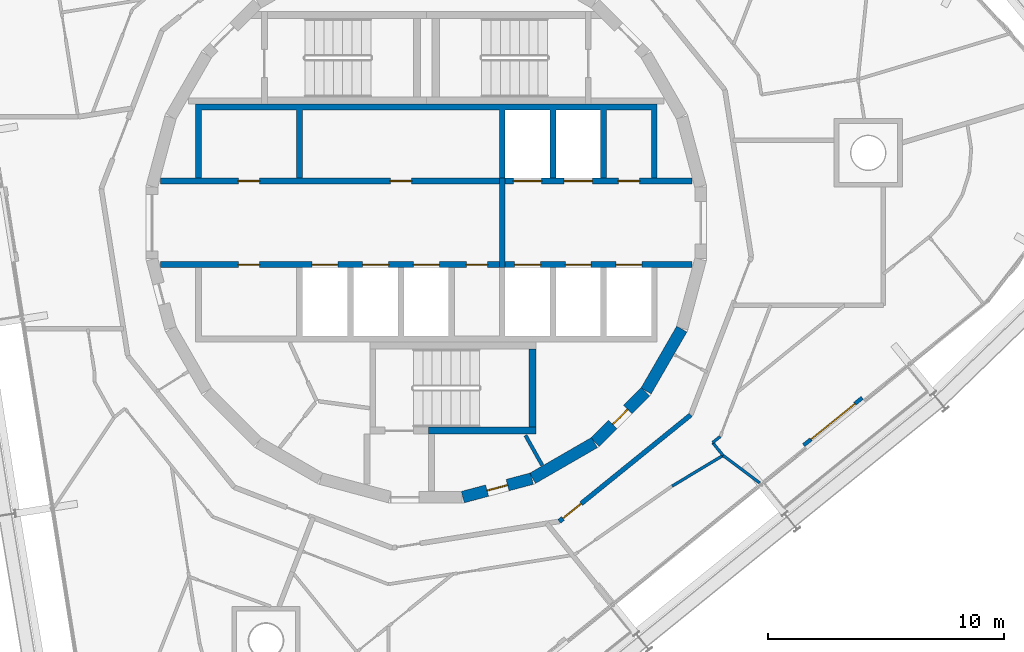
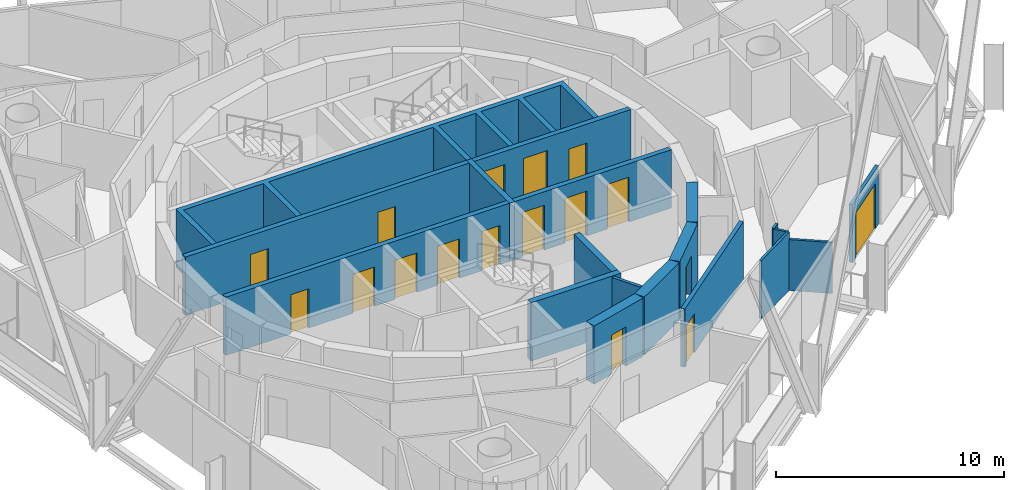
# One storey, part 13 of 18: 19 walls, 17 doors, 17 openings.
"""IFC4 building model written with IfcOpenShell, lengths in metres."""

from ifc_helpers import new_model, si_unit, direction, frame, frame_2d, origin, place, context, subcontext, project, spatial, polyline, rectangle, outline, extrude, material, layer, layer_set, type_object, element, fill, save


model = new_model("IFC4")

# Units and contexts
model_context = context("Model", 3, precision=1e-05, world=origin(), true_north=direction((0.0, 1.0)))
body_context = subcontext(model_context, "Body", "Model", "MODEL_VIEW")
ifc_project = project(units=[si_unit("LENGTHUNIT", "METRE"), si_unit("AREAUNIT", "SQUARE_METRE"), si_unit("VOLUMEUNIT", "CUBIC_METRE"), si_unit("PLANEANGLEUNIT", "RADIAN"), si_unit("MASSUNIT", "GRAM", prefix="KILO")], contexts=[model_context])

# Site, building, storey
site_placement = place(None, origin())
site = spatial("IfcSite", under=ifc_project, at=site_placement, CompositionType="ELEMENT")
building_placement = place(site_placement, origin())
building = spatial("IfcBuilding", under=site, at=building_placement, Name="Spindle Arch Residences", CompositionType="ELEMENT")
storey_placement = place(building_placement, frame((0.0, 0.0, 277.39990234375)))
storey = spatial("IfcBuildingStorey", under=building, at=storey_placement, Name="L71", CompositionType="ELEMENT", Elevation=277.39990234375)

# Wall, opening, door
ifc_material_1 = material(Name="Concrete C50/60", Category="concrete")
ifc_layer_1 = layer(ifc_material_1, 0.5)
ifc_layer_set_1 = layer_set([ifc_layer_1], Name="Core outline wall 500")
wall_type_1 = type_object("IfcWallType", Name="Core outline wall 500", PredefinedType="SHEAR", material=ifc_layer_set_1)
wall_1_placement = place(storey_placement, frame((1.5498046875, -11.642822265625, 0.0), z_axis=(0.0, 0.0, 1.0), x_axis=(0.965948410781, 0.258734743916, 0.0)))
wall_1 = element("IfcWall", 1, at=wall_1_placement, inside=storey, type_object=wall_type_1, Name="Core outline wall 1", PredefinedType="SHEAR", context=body_context, shape_type="SweptSolid", body=[
    extrude(rectangle(XDim=3.03271484375, YDim=0.5, at=frame_2d((1.516357421875, 0.0))), origin(), (0.0, 0.0, 1.0), 3.1201171875),
])
opening_1_placement = place(wall_1_placement, frame((1.06640625, 0.0, 0.0)))
opening_1 = element("IfcOpeningElement", 2, at=opening_1_placement, cuts=wall_1, Name="Opening R7B0-WD09", PredefinedType="OPENING", context=body_context, shape_type="SweptSolid", body=[
    extrude(rectangle(XDim=0.89990234375, YDim=2.10009765625, at=frame_2d((0.449951171875, 1.050048828125))), frame((0.0, 0.260009765625, 0.0), z_axis=(0.0, -1.0, 0.0), x_axis=(1.0, 0.0, 0.0)), (0.0, 0.0, 1.0), 0.52001953125),
])
ifc_material_2 = material(Name="Steel, fire-resisting door", Category="steel")
door_type_1 = type_object("IfcDoorType", Name="Service room door 900x2100", OperationType="SINGLE_SWING_LEFT", PredefinedType="DOOR", material=ifc_material_2)
door_1_placement = place(opening_1_placement, origin())
door_1 = element("IfcDoor", 3, at=door_1_placement, inside=storey, type_object=door_type_1, Name="Service room door R7B0-WD09", OperationType="SINGLE_SWING_LEFT", OverallHeight=2.10009765625, OverallWidth=0.89990234375, PredefinedType="DOOR", context=body_context, shape_type="SweptSolid", body=[
    extrude(rectangle(XDim=0.89990234375, YDim=2.10009765625, at=frame_2d((0.449951171875, 1.050048828125))), frame((0.0, 0.02490234375, 0.0), z_axis=(0.0, -1.0, 0.0), x_axis=(1.0, 0.0, 0.0)), (0.0, 0.0, 1.0), 0.050048828125),
])
fill(opening_1, door_1)

# Wall
wall_2_placement = place(storey_placement, frame((4.510498046875, -10.84521484375, 0.0), z_axis=(0.0, 0.0, 1.0), x_axis=(0.865975092491, 0.500087131594, 0.0)))
element("IfcWall", 4, at=wall_2_placement, inside=storey, type_object=wall_type_1, Name="Core outline wall 2", PredefinedType="SHEAR", context=body_context, shape_type="SweptSolid", body=[
    extrude(rectangle(XDim=3.03271484375, YDim=0.5, at=frame_2d((1.516357421875, 0.0))), origin(), (0.0, 0.0, 1.0), 3.1201171875),
])

# Wall, opening, door
wall_3_placement = place(storey_placement, frame((7.163818359375, -9.30810546875, 0.0), z_axis=(0.0, 0.0, 1.0), x_axis=(0.707106781187, 0.707106781187, 0.0)))
wall_3 = element("IfcWall", 5, at=wall_3_placement, inside=storey, type_object=wall_type_1, Name="Core outline wall 3", PredefinedType="SHEAR", context=body_context, shape_type="SweptSolid", body=[
    extrude(rectangle(XDim=3.032470703125, YDim=0.5, at=frame_2d((1.51611328125, 0.0))), origin(), (0.0, 0.0, 1.0), 3.1201171875),
])
opening_2_placement = place(wall_3_placement, frame((1.06640625, 0.0, 0.0)))
opening_2 = element("IfcOpeningElement", 6, at=opening_2_placement, cuts=wall_3, Name="Opening R7B0-WD08", PredefinedType="OPENING", context=body_context, shape_type="SweptSolid", body=[
    extrude(rectangle(XDim=0.89990234375, YDim=2.10009765625, at=frame_2d((0.449951171875, 1.050048828125))), frame((0.0, 0.260009765625, 0.0), z_axis=(0.0, -1.0, 0.0), x_axis=(1.0, 0.0, 0.0)), (0.0, 0.0, 1.0), 0.52001953125),
])
door_2_placement = place(opening_2_placement, origin())
door_2 = element("IfcDoor", 7, at=door_2_placement, inside=storey, type_object=door_type_1, Name="Service room door R7B0-WD08", OperationType="SINGLE_SWING_RIGHT", OverallHeight=2.10009765625, OverallWidth=0.89990234375, PredefinedType="DOOR", context=body_context, shape_type="SweptSolid", body=[
    extrude(rectangle(XDim=0.89990234375, YDim=2.10009765625, at=frame_2d((0.449951171875, 1.050048828125))), frame((0.0, 0.02490234375, 0.0), z_axis=(0.0, -1.0, 0.0), x_axis=(1.0, 0.0, 0.0)), (0.0, 0.0, 1.0), 0.050048828125),
])
fill(opening_2, door_2)

# Wall
wall_4_placement = place(storey_placement, frame((9.32861328125, -7.13671875, 0.0), z_axis=(0.0, 0.0, 1.0), x_axis=(0.500087131594, 0.865975092491, 0.0)))
element("IfcWall", 8, at=wall_4_placement, inside=storey, type_object=wall_type_1, Name="Core outline wall 4", PredefinedType="SHEAR", context=body_context, shape_type="SweptSolid", body=[
    extrude(rectangle(XDim=3.03271484375, YDim=0.5, at=frame_2d((1.516357421875, 0.0))), origin(), (0.0, 0.0, 1.0), 3.1201171875),
])

# Wall, opening, door
ifc_material_3 = material(Name="Calcium silicate block, plastered")
ifc_layer_2 = layer(ifc_material_3, 0.199951171875)
ifc_layer_set_2 = layer_set([ifc_layer_2], Name="Corridor wall 200")
wall_type_2 = type_object("IfcWallType", Name="Corridor wall 200", PredefinedType="STANDARD", material=ifc_layer_set_2)
wall_5_placement = place(storey_placement, frame((5.642578125, -12.67333984375, 0.0), z_axis=(0.0, 0.0, 1.0), x_axis=(0.777160148113, 0.629302871585, 0.0)))
wall_5 = element("IfcWall", 9, at=wall_5_placement, inside=storey, type_object=wall_type_2, Name="Corridor wall R7B0-W015", PredefinedType="STANDARD", context=body_context, shape_type="SweptSolid", body=[
    extrude(rectangle(XDim=7.180908203125, YDim=0.199951171875, at=frame_2d((3.59033203125, 0.0))), origin(), (0.0, 0.0, 1.0), 3.1201171875),
])
opening_3_placement = place(wall_5_placement, frame((0.199951171875, 0.0, 0.0)))
opening_3 = element("IfcOpeningElement", 10, at=opening_3_placement, cuts=wall_5, Name="Opening R7B0-FD06", PredefinedType="OPENING", context=body_context, shape_type="SweptSolid", body=[
    extrude(rectangle(XDim=1.0, YDim=2.10009765625, at=frame_2d((0.5, 1.050048828125))), frame((0.0, 0.10986328125, 0.0), z_axis=(0.0, -1.0, 0.0), x_axis=(1.0, 0.0, 0.0)), (0.0, 0.0, 1.0), 0.219970703125),
])
ifc_material_4 = material(Name="Timber, fire-resisting door set", Category="wood")
door_type_2 = type_object("IfcDoorType", Name="Flat entrance door 1000x2100", OperationType="NOTDEFINED", PredefinedType="DOOR", material=ifc_material_4)
door_3_placement = place(opening_3_placement, origin())
door_3 = element("IfcDoor", 11, at=door_3_placement, inside=storey, type_object=door_type_2, Name="Flat entrance door R7B0-FD06", OperationType="SINGLE_SWING_LEFT", OverallHeight=2.10009765625, OverallWidth=1.0, PredefinedType="DOOR", context=body_context, shape_type="SweptSolid", body=[
    extrude(rectangle(XDim=1.0, YDim=2.10009765625, at=frame_2d((0.5, 1.050048828125))), frame((0.0, 0.02490234375, 0.0), z_axis=(0.0, -1.0, 0.0), x_axis=(1.0, 0.0, 0.0)), (0.0, 0.0, 1.0), 0.050048828125),
])
fill(opening_3, door_3)

# Wall, openings, doors
ifc_material_5 = material(Name="Concrete C40/50", Category="concrete")
ifc_layer_3 = layer(ifc_material_5, 0.25)
ifc_layer_set_3 = layer_set([ifc_layer_3], Name="Fire-lift lobby wall 250")
wall_type_3 = type_object("IfcWallType", Name="Fire-lift lobby wall 250", PredefinedType="SHEAR", material=ifc_layer_set_3)
wall_6_placement = place(storey_placement, frame((3.35009765625, 1.77490234375, 0.0), z_axis=(0.0, 0.0, 1.0), x_axis=(1.0, 0.0, 0.0)))
wall_6 = element("IfcWall", 12, at=wall_6_placement, inside=storey, type_object=wall_type_3, Name="Lift shaft front wall NE", PredefinedType="SHEAR", context=body_context, shape_type="SweptSolid", body=[
    extrude(rectangle(XDim=7.929931640625, YDim=0.25, at=frame_2d((3.96484375, 0.0))), origin(), (0.0, 0.0, 1.0), 3.1201171875),
])
opening_4_placement = place(wall_6_placement, frame((0.35009765625, 0.0, 0.0)))
opening_4 = element("IfcOpeningElement", 13, at=opening_4_placement, cuts=wall_6, Name="Opening R7B0-SLD01", PredefinedType="OPENING", context=body_context, shape_type="SweptSolid", body=[
    extrude(rectangle(XDim=1.199951171875, YDim=2.39990234375, at=frame_2d((0.60009765625, 1.199951171875))), frame((0.0, 0.135009765625, 0.0), z_axis=(0.0, -1.0, 0.0), x_axis=(1.0, 0.0, 0.0)), (0.0, 0.0, 1.0), 0.27001953125),
])
opening_5_placement = place(wall_6_placement, frame((2.5, 0.0, 0.0)))
opening_5 = element("IfcOpeningElement", 14, at=opening_5_placement, cuts=wall_6, Name="Opening R7B0-SLD02", PredefinedType="OPENING", context=body_context, shape_type="SweptSolid", body=[
    extrude(rectangle(XDim=1.199951171875, YDim=2.39990234375, at=frame_2d((0.60009765625, 1.199951171875))), frame((0.0, 0.135009765625, 0.0), z_axis=(0.0, -1.0, 0.0), x_axis=(1.0, 0.0, 0.0)), (0.0, 0.0, 1.0), 0.27001953125),
])
opening_6_placement = place(wall_6_placement, frame((4.800048828125, 0.0, 0.0)))
opening_6 = element("IfcOpeningElement", 15, at=opening_6_placement, cuts=wall_6, Name="Opening R7B0-WD03", PredefinedType="OPENING", context=body_context, shape_type="SweptSolid", body=[
    extrude(rectangle(XDim=0.89990234375, YDim=2.10009765625, at=frame_2d((0.449951171875, 1.050048828125))), frame((0.0, 0.135009765625, 0.0), z_axis=(0.0, -1.0, 0.0), x_axis=(1.0, 0.0, 0.0)), (0.0, 0.0, 1.0), 0.27001953125),
])
ifc_material_6 = material(Name="Steel, fire-resisting landing door", Category="steel")
door_type_3 = type_object("IfcDoorType", Name="Service lift landing door 1200x2400", OperationType="DOUBLE_DOOR_SLIDING", PredefinedType="DOOR", material=ifc_material_6)
door_4_placement = place(opening_4_placement, origin())
door_4 = element("IfcDoor", 16, at=door_4_placement, inside=storey, type_object=door_type_3, Name="Service lift landing door R7B0-SLD01", OperationType="DOUBLE_DOOR_SLIDING", OverallHeight=2.39990234375, OverallWidth=1.199951171875, PredefinedType="DOOR", context=body_context, shape_type="SweptSolid", body=[
    extrude(rectangle(XDim=1.199951171875, YDim=2.39990234375, at=frame_2d((0.60009765625, 1.199951171875))), frame((0.0, 0.02490234375, 0.0), z_axis=(0.0, -1.0, 0.0), x_axis=(1.0, 0.0, 0.0)), (0.0, 0.0, 1.0), 0.050048828125),
])
fill(opening_4, door_4)
door_5_placement = place(opening_5_placement, origin())
door_5 = element("IfcDoor", 17, at=door_5_placement, inside=storey, type_object=door_type_3, Name="Service lift landing door R7B0-SLD02", OperationType="DOUBLE_DOOR_SLIDING", OverallHeight=2.39990234375, OverallWidth=1.199951171875, PredefinedType="DOOR", context=body_context, shape_type="SweptSolid", body=[
    extrude(rectangle(XDim=1.199951171875, YDim=2.39990234375, at=frame_2d((0.60009765625, 1.199951171875))), frame((0.0, 0.02490234375, 0.0), z_axis=(0.0, -1.0, 0.0), x_axis=(1.0, 0.0, 0.0)), (0.0, 0.0, 1.0), 0.050048828125),
])
fill(opening_5, door_5)
door_6_placement = place(opening_6_placement, origin())
door_6 = element("IfcDoor", 18, at=door_6_placement, inside=storey, type_object=door_type_1, Name="Service room door R7B0-WD03", OperationType="SINGLE_SWING_LEFT", OverallHeight=2.10009765625, OverallWidth=0.89990234375, PredefinedType="DOOR", context=body_context, shape_type="SweptSolid", body=[
    extrude(rectangle(XDim=0.89990234375, YDim=2.10009765625, at=frame_2d((0.449951171875, 1.050048828125))), frame((0.0, 0.02490234375, 0.0), z_axis=(0.0, -1.0, 0.0), x_axis=(1.0, 0.0, 0.0)), (0.0, 0.0, 1.0), 0.050048828125),
])
fill(opening_6, door_6)

# Wall
wall_7_placement = place(storey_placement, frame((3.22509765625, -1.89990234375, 0.0), z_axis=(0.0, 0.0, 1.0), x_axis=(0.0, 1.0, 0.0)))
element("IfcWall", 19, at=wall_7_placement, inside=storey, type_object=wall_type_3, Name="Fire-fighting lobby partition", PredefinedType="SHEAR", context=body_context, shape_type="SweptSolid", body=[
    extrude(rectangle(XDim=3.7998046875, YDim=0.25, at=frame_2d((1.89990234375, 0.0))), origin(), (0.0, 0.0, 1.0), 3.1201171875),
])

# Wall, openings, doors
ifc_material_7 = material(Name="Concrete C50/60", Category="concrete")
ifc_layer_4 = layer(ifc_material_7, 0.25)
ifc_layer_set_4 = layer_set([ifc_layer_4], Name="Fire-lift shaft wall 250")
wall_type_4 = type_object("IfcWallType", Name="Fire-lift shaft wall 250", PredefinedType="SHEAR", material=ifc_layer_set_4)
wall_8_placement = place(storey_placement, frame((3.35009765625, -1.77490234375, 0.0), z_axis=(0.0, 0.0, 1.0), x_axis=(1.0, 0.0, 0.0)))
wall_8 = element("IfcWall", 20, at=wall_8_placement, inside=storey, type_object=wall_type_4, Name="Lift shaft front wall SE", PredefinedType="SHEAR", context=body_context, shape_type="SweptSolid", body=[
    extrude(rectangle(XDim=7.929931640625, YDim=0.25, at=frame_2d((3.96484375, 0.0))), origin(), (0.0, 0.0, 1.0), 3.1201171875),
])
opening_7_placement = place(wall_8_placement, frame((0.39990234375, 0.0, 0.0)))
opening_7 = element("IfcOpeningElement", 21, at=opening_7_placement, cuts=wall_8, Name="Opening R7B0-FLD01", PredefinedType="OPENING", context=body_context, shape_type="SweptSolid", body=[
    extrude(rectangle(XDim=1.10009765625, YDim=2.39990234375, at=frame_2d((0.550048828125, 1.199951171875))), frame((0.0, 0.135009765625, 0.0), z_axis=(0.0, -1.0, 0.0), x_axis=(1.0, 0.0, 0.0)), (0.0, 0.0, 1.0), 0.27001953125),
])
opening_8_placement = place(wall_8_placement, frame((2.550048828125, 0.0, 0.0)))
opening_8 = element("IfcOpeningElement", 22, at=opening_8_placement, cuts=wall_8, Name="Opening R7B0-FLD02", PredefinedType="OPENING", context=body_context, shape_type="SweptSolid", body=[
    extrude(rectangle(XDim=1.10009765625, YDim=2.39990234375, at=frame_2d((0.550048828125, 1.199951171875))), frame((0.0, 0.135009765625, 0.0), z_axis=(0.0, -1.0, 0.0), x_axis=(1.0, 0.0, 0.0)), (0.0, 0.0, 1.0), 0.27001953125),
])
opening_9_placement = place(wall_8_placement, frame((4.699951171875, 0.0, 0.0)))
opening_9 = element("IfcOpeningElement", 23, at=opening_9_placement, cuts=wall_8, Name="Opening R7B0-FLD03", PredefinedType="OPENING", context=body_context, shape_type="SweptSolid", body=[
    extrude(rectangle(XDim=1.10009765625, YDim=2.39990234375, at=frame_2d((0.550048828125, 1.199951171875))), frame((0.0, 0.135009765625, 0.0), z_axis=(0.0, -1.0, 0.0), x_axis=(1.0, 0.0, 0.0)), (0.0, 0.0, 1.0), 0.27001953125),
])
ifc_material_8 = material(Name="Steel, fire-resisting landing door", Category="steel")
door_type_4 = type_object("IfcDoorType", Name="Fire-fighting lift landing door 1100x2400", OperationType="DOUBLE_DOOR_SLIDING", PredefinedType="DOOR", material=ifc_material_8)
door_7_placement = place(opening_7_placement, origin())
door_7 = element("IfcDoor", 24, at=door_7_placement, inside=storey, type_object=door_type_4, Name="Fire-fighting lift landing door R7B0-FLD01", OperationType="DOUBLE_DOOR_SLIDING", OverallHeight=2.39990234375, OverallWidth=1.10009765625, PredefinedType="DOOR", context=body_context, shape_type="SweptSolid", body=[
    extrude(rectangle(XDim=1.10009765625, YDim=2.39990234375, at=frame_2d((0.550048828125, 1.199951171875))), frame((0.0, 0.02490234375, 0.0), z_axis=(0.0, -1.0, 0.0), x_axis=(1.0, 0.0, 0.0)), (0.0, 0.0, 1.0), 0.050048828125),
])
fill(opening_7, door_7)
door_8_placement = place(opening_8_placement, origin())
door_8 = element("IfcDoor", 25, at=door_8_placement, inside=storey, type_object=door_type_4, Name="Fire-fighting lift landing door R7B0-FLD02", OperationType="DOUBLE_DOOR_SLIDING", OverallHeight=2.39990234375, OverallWidth=1.10009765625, PredefinedType="DOOR", context=body_context, shape_type="SweptSolid", body=[
    extrude(rectangle(XDim=1.10009765625, YDim=2.39990234375, at=frame_2d((0.550048828125, 1.199951171875))), frame((0.0, 0.02490234375, 0.0), z_axis=(0.0, -1.0, 0.0), x_axis=(1.0, 0.0, 0.0)), (0.0, 0.0, 1.0), 0.050048828125),
])
fill(opening_8, door_8)
door_9_placement = place(opening_9_placement, origin())
door_9 = element("IfcDoor", 26, at=door_9_placement, inside=storey, type_object=door_type_4, Name="Fire-fighting lift landing door R7B0-FLD03", OperationType="DOUBLE_DOOR_SLIDING", OverallHeight=2.39990234375, OverallWidth=1.10009765625, PredefinedType="DOOR", context=body_context, shape_type="SweptSolid", body=[
    extrude(rectangle(XDim=1.10009765625, YDim=2.39990234375, at=frame_2d((0.550048828125, 1.199951171875))), frame((0.0, 0.02490234375, 0.0), z_axis=(0.0, -1.0, 0.0), x_axis=(1.0, 0.0, 0.0)), (0.0, 0.0, 1.0), 0.050048828125),
])
fill(opening_9, door_9)

# Walls
ifc_material_9 = material(Name="Plasterboard on steel studs", Category="steel")
ifc_layer_5 = layer(ifc_material_9, 0.1201171875)
ifc_layer_set_5 = layer_set([ifc_layer_5], Name="Flat partition 120")
wall_type_5 = type_object("IfcWallType", Name="Flat partition 120", PredefinedType="PARTITIONING", material=ifc_layer_set_5)
wall_9_placement = place(storey_placement, frame((10.43359375, -11.17529296875, 0.0), z_axis=(0.0, 0.0, 1.0), x_axis=(0.857117202926, 0.515121442427, 0.0)))
element("IfcWall", 27, at=wall_9_placement, inside=storey, type_object=wall_type_5, Name="Flat partition R7B0-W093", PredefinedType="PARTITIONING", context=body_context, shape_type="SweptSolid", body=[
    extrude(rectangle(XDim=2.524169921875, YDim=0.1201171875, at=frame_2d((1.26220703125, 0.0))), origin(), (0.0, 0.0, 1.0), 3.1201171875),
])
wall_10_placement = place(storey_placement, frame((12.59716796875, -9.875, 0.0), z_axis=(0.0, 0.0, 1.0), x_axis=(-0.629138198612, 0.77729346263, 0.0)))
element("IfcWall", 28, at=wall_10_placement, inside=storey, type_object=wall_type_5, Name="Flat partition R7B0-W094", PredefinedType="PARTITIONING", context=body_context, shape_type="SweptSolid", body=[
    extrude(rectangle(XDim=0.701904296875, YDim=0.1201171875, at=frame_2d((0.35107421875, 0.0))), origin(), (0.0, 0.0, 1.0), 3.1201171875),
])
wall_11_placement = place(storey_placement, frame((12.155517578125, -9.329345703125, 0.0), z_axis=(0.0, 0.0, 1.0), x_axis=(0.777026645941, 0.629467704888, 0.0)))
element("IfcWall", 29, at=wall_11_placement, inside=storey, type_object=wall_type_5, Name="Flat partition R7B0-W095", PredefinedType="PARTITIONING", context=body_context, shape_type="SweptSolid", body=[
    extrude(rectangle(XDim=0.4169921875, YDim=0.1201171875, at=frame_2d((0.20849609375, 0.0))), origin(), (0.0, 0.0, 1.0), 3.1201171875),
])
ifc_material_10 = material(Name="Plasterboard on steel studs", Category="steel")
ifc_layer_6 = layer(ifc_material_10, 0.1201171875)
ifc_layer_set_6 = layer_set([ifc_layer_6], Name="Flat partition 120 under beam 2730")
wall_type_6 = type_object("IfcWallType", Name="Flat partition 120 under beam 2730", PredefinedType="PARTITIONING", material=ifc_layer_set_6)
wall_12_placement = place(storey_placement, frame((14.161376953125, -11.04638671875, 0.0), z_axis=(0.0, 0.0, 1.0), x_axis=(-0.800434550749, 0.599420161463, 0.0)))
element("IfcWall", 30, at=wall_12_placement, inside=storey, type_object=wall_type_6, Name="Flat partition R7B0-W104", PredefinedType="PARTITIONING", context=body_context, shape_type="SweptSolid", body=[
    extrude(rectangle(XDim=1.9541015625, YDim=0.1201171875, at=frame_2d((0.97705078125, 0.0))), origin(), (0.0, 0.0, 1.0), 2.72998046875),
])

# Wall, opening, door
ifc_material_11 = material(Name="Non-combustible mineral wool insulated aluminium faced external wall (K0)", Category="aluminium")
ifc_layer_7 = layer(ifc_material_11, 0.159912109375)
ifc_layer_set_7 = layer_set([ifc_layer_7], Name="Insulated external wall panel 160")
wall_type_7 = type_object("IfcWallType", Name="Insulated external wall panel 160", PredefinedType="STANDARD", material=ifc_layer_set_7)
wall_13_placement = place(storey_placement, frame((16.01806640625, -9.43994140625, 0.0), z_axis=(0.0, 0.0, 1.0), x_axis=(0.777125818, 0.629345265333, 0.0)))
wall_13 = element("IfcWall", 31, at=wall_13_placement, inside=storey, type_object=wall_type_7, Name="External wall L71 bay 1", PredefinedType="STANDARD", context=body_context, shape_type="SweptSolid", body=[
    extrude(rectangle(XDim=3.199951171875, YDim=0.159912109375, at=frame_2d((1.60009765625, 0.0))), origin(), (0.0, 0.0, 1.0), 3.1201171875),
])
opening_10_placement = place(wall_13_placement, frame((0.39990234375, 0.0, 0.0)))
opening_10 = element("IfcOpeningElement", 32, at=opening_10_placement, cuts=wall_13, Name="Opening BD01", PredefinedType="OPENING", context=body_context, shape_type="SweptSolid", body=[
    extrude(rectangle(XDim=2.39990234375, YDim=2.39990234375, at=frame_2d((1.199951171875, 1.199951171875))), frame((0.0, 0.08984375, 0.0), z_axis=(0.0, -1.0, 0.0), x_axis=(1.0, 0.0, 0.0)), (0.0, 0.0, 1.0), 0.179931640625),
])
ifc_material_12 = material(Name="Bronze aluminium frame, tinted double glazing", Category="aluminium")
door_type_5 = type_object("IfcDoorType", Name="Sliding glazed balcony door 2400x2400", OperationType="DOUBLE_DOOR_SLIDING", PredefinedType="DOOR", material=ifc_material_12)
door_10_placement = place(opening_10_placement, origin())
door_10 = element("IfcDoor", 33, at=door_10_placement, inside=storey, type_object=door_type_5, Name="Balcony door BD01", OperationType="DOUBLE_DOOR_SLIDING", OverallHeight=2.39990234375, OverallWidth=2.39990234375, PredefinedType="DOOR", context=body_context, shape_type="SweptSolid", body=[
    extrude(rectangle(XDim=2.39990234375, YDim=2.39990234375, at=frame_2d((1.199951171875, 1.199951171875))), frame((0.0, 0.02490234375, 0.0), z_axis=(0.0, -1.0, 0.0), x_axis=(1.0, 0.0, 0.0)), (0.0, 0.0, 1.0), 0.050048828125),
])
fill(opening_10, door_10)

# Wall, openings, doors
ifc_material_13 = material(Name="Concrete C50/60", Category="concrete")
ifc_layer_8 = layer(ifc_material_13, 0.25)
ifc_layer_set_8 = layer_set([ifc_layer_8], Name="Lift shaft wall 250")
wall_type_8 = type_object("IfcWallType", Name="Lift shaft wall 250", PredefinedType="SHEAR", material=ifc_layer_set_8)
wall_14_placement = place(storey_placement, frame((-11.280029296875, 1.77490234375, 0.0), z_axis=(0.0, 0.0, 1.0), x_axis=(1.0, 0.0, 0.0)))
wall_14 = element("IfcWall", 34, at=wall_14_placement, inside=storey, type_object=wall_type_8, Name="Lift shaft front wall NW", PredefinedType="SHEAR", context=body_context, shape_type="SweptSolid", body=[
    extrude(rectangle(XDim=14.380126953125, YDim=0.25, at=frame_2d((7.18994140625, 0.0))), origin(), (0.0, 0.0, 1.0), 3.1201171875),
])
opening_11_placement = place(wall_14_placement, frame((3.304931640625, 0.0, 0.0)))
opening_11 = element("IfcOpeningElement", 35, at=opening_11_placement, cuts=wall_14, Name="Opening R7B0-WD01", PredefinedType="OPENING", context=body_context, shape_type="SweptSolid", body=[
    extrude(rectangle(XDim=0.89990234375, YDim=2.10009765625, at=frame_2d((0.449951171875, 1.050048828125))), frame((0.0, 0.135009765625, 0.0), z_axis=(0.0, -1.0, 0.0), x_axis=(1.0, 0.0, 0.0)), (0.0, 0.0, 1.0), 0.27001953125),
])
opening_12_placement = place(wall_14_placement, frame((9.7548828125, 0.0, 0.0)))
opening_12 = element("IfcOpeningElement", 36, at=opening_12_placement, cuts=wall_14, Name="Opening R7B0-WD02", PredefinedType="OPENING", context=body_context, shape_type="SweptSolid", body=[
    extrude(rectangle(XDim=0.89990234375, YDim=2.10009765625, at=frame_2d((0.449951171875, 1.050048828125))), frame((0.0, 0.135009765625, 0.0), z_axis=(0.0, -1.0, 0.0), x_axis=(1.0, 0.0, 0.0)), (0.0, 0.0, 1.0), 0.27001953125),
])
door_11_placement = place(opening_11_placement, origin())
door_11 = element("IfcDoor", 37, at=door_11_placement, inside=storey, type_object=door_type_1, Name="Service room door R7B0-WD01", OperationType="SINGLE_SWING_LEFT", OverallHeight=2.10009765625, OverallWidth=0.89990234375, PredefinedType="DOOR", context=body_context, shape_type="SweptSolid", body=[
    extrude(rectangle(XDim=0.89990234375, YDim=2.10009765625, at=frame_2d((0.449951171875, 1.050048828125))), frame((0.0, 0.02490234375, 0.0), z_axis=(0.0, -1.0, 0.0), x_axis=(1.0, 0.0, 0.0)), (0.0, 0.0, 1.0), 0.050048828125),
])
fill(opening_11, door_11)
door_12_placement = place(opening_12_placement, origin())
door_12 = element("IfcDoor", 38, at=door_12_placement, inside=storey, type_object=door_type_1, Name="Service room door R7B0-WD02", OperationType="SINGLE_SWING_RIGHT", OverallHeight=2.10009765625, OverallWidth=0.89990234375, PredefinedType="DOOR", context=body_context, shape_type="SweptSolid", body=[
    extrude(rectangle(XDim=0.89990234375, YDim=2.10009765625, at=frame_2d((0.449951171875, 1.050048828125))), frame((0.0, 0.02490234375, 0.0), z_axis=(0.0, -1.0, 0.0), x_axis=(1.0, 0.0, 0.0)), (0.0, 0.0, 1.0), 0.050048828125),
])
fill(opening_12, door_12)

wall_15_placement = place(storey_placement, frame((-11.280029296875, -1.77490234375, 0.0), z_axis=(0.0, 0.0, 1.0), x_axis=(1.0, 0.0, 0.0)))
wall_15 = element("IfcWall", 39, at=wall_15_placement, inside=storey, type_object=wall_type_8, Name="Lift shaft front wall SW", PredefinedType="SHEAR", context=body_context, shape_type="SweptSolid", body=[
    extrude(rectangle(XDim=14.380126953125, YDim=0.25, at=frame_2d((7.18994140625, 0.0))), origin(), (0.0, 0.0, 1.0), 3.1201171875),
])
opening_13_placement = place(wall_15_placement, frame((6.429931640625, 0.0, 0.0)))
opening_13 = element("IfcOpeningElement", 40, at=opening_13_placement, cuts=wall_15, Name="Opening R7B0-LD01", PredefinedType="OPENING", context=body_context, shape_type="SweptSolid", body=[
    extrude(rectangle(XDim=1.10009765625, YDim=2.10009765625, at=frame_2d((0.550048828125, 1.050048828125))), frame((0.0, 0.135009765625, 0.0), z_axis=(0.0, -1.0, 0.0), x_axis=(1.0, 0.0, 0.0)), (0.0, 0.0, 1.0), 0.27001953125),
])
opening_14_placement = place(wall_15_placement, frame((8.580078125, 0.0, 0.0)))
opening_14 = element("IfcOpeningElement", 41, at=opening_14_placement, cuts=wall_15, Name="Opening R7B0-LD02", PredefinedType="OPENING", context=body_context, shape_type="SweptSolid", body=[
    extrude(rectangle(XDim=1.10009765625, YDim=2.10009765625, at=frame_2d((0.550048828125, 1.050048828125))), frame((0.0, 0.135009765625, 0.0), z_axis=(0.0, -1.0, 0.0), x_axis=(1.0, 0.0, 0.0)), (0.0, 0.0, 1.0), 0.27001953125),
])
opening_15_placement = place(wall_15_placement, frame((10.72998046875, 0.0, 0.0)))
opening_15 = element("IfcOpeningElement", 42, at=opening_15_placement, cuts=wall_15, Name="Opening R7B0-LD03", PredefinedType="OPENING", context=body_context, shape_type="SweptSolid", body=[
    extrude(rectangle(XDim=1.10009765625, YDim=2.10009765625, at=frame_2d((0.550048828125, 1.050048828125))), frame((0.0, 0.135009765625, 0.0), z_axis=(0.0, -1.0, 0.0), x_axis=(1.0, 0.0, 0.0)), (0.0, 0.0, 1.0), 0.27001953125),
])
opening_16_placement = place(wall_15_placement, frame((3.304931640625, 0.0, 0.0)))
opening_16 = element("IfcOpeningElement", 43, at=opening_16_placement, cuts=wall_15, Name="Opening R7B0-WD04", PredefinedType="OPENING", context=body_context, shape_type="SweptSolid", body=[
    extrude(rectangle(XDim=0.89990234375, YDim=2.10009765625, at=frame_2d((0.449951171875, 1.050048828125))), frame((0.0, 0.135009765625, 0.0), z_axis=(0.0, -1.0, 0.0), x_axis=(1.0, 0.0, 0.0)), (0.0, 0.0, 1.0), 0.27001953125),
])
opening_17_placement = place(wall_15_placement, frame((12.97998046875, 0.0, 0.0)))
opening_17 = element("IfcOpeningElement", 44, at=opening_17_placement, cuts=wall_15, Name="Opening R7B0-WD05", PredefinedType="OPENING", context=body_context, shape_type="SweptSolid", body=[
    extrude(rectangle(XDim=0.89990234375, YDim=2.10009765625, at=frame_2d((0.449951171875, 1.050048828125))), frame((0.0, 0.135009765625, 0.0), z_axis=(0.0, -1.0, 0.0), x_axis=(1.0, 0.0, 0.0)), (0.0, 0.0, 1.0), 0.27001953125),
])
ifc_material_14 = material(Name="Steel, fire-resisting landing door", Category="steel")
door_type_6 = type_object("IfcDoorType", Name="Lift landing door 1100x2100", OperationType="DOUBLE_DOOR_SLIDING", PredefinedType="DOOR", material=ifc_material_14)
door_13_placement = place(opening_13_placement, origin())
door_13 = element("IfcDoor", 45, at=door_13_placement, inside=storey, type_object=door_type_6, Name="Lift landing door R7B0-LD01", OperationType="DOUBLE_DOOR_SLIDING", OverallHeight=2.10009765625, OverallWidth=1.10009765625, PredefinedType="DOOR", context=body_context, shape_type="SweptSolid", body=[
    extrude(rectangle(XDim=1.10009765625, YDim=2.10009765625, at=frame_2d((0.550048828125, 1.050048828125))), frame((0.0, 0.02490234375, 0.0), z_axis=(0.0, -1.0, 0.0), x_axis=(1.0, 0.0, 0.0)), (0.0, 0.0, 1.0), 0.050048828125),
])
fill(opening_13, door_13)
door_14_placement = place(opening_14_placement, origin())
door_14 = element("IfcDoor", 46, at=door_14_placement, inside=storey, type_object=door_type_6, Name="Lift landing door R7B0-LD02", OperationType="DOUBLE_DOOR_SLIDING", OverallHeight=2.10009765625, OverallWidth=1.10009765625, PredefinedType="DOOR", context=body_context, shape_type="SweptSolid", body=[
    extrude(rectangle(XDim=1.10009765625, YDim=2.10009765625, at=frame_2d((0.550048828125, 1.050048828125))), frame((0.0, 0.02490234375, 0.0), z_axis=(0.0, -1.0, 0.0), x_axis=(1.0, 0.0, 0.0)), (0.0, 0.0, 1.0), 0.050048828125),
])
fill(opening_14, door_14)
door_15_placement = place(opening_15_placement, origin())
door_15 = element("IfcDoor", 47, at=door_15_placement, inside=storey, type_object=door_type_6, Name="Lift landing door R7B0-LD03", OperationType="DOUBLE_DOOR_SLIDING", OverallHeight=2.10009765625, OverallWidth=1.10009765625, PredefinedType="DOOR", context=body_context, shape_type="SweptSolid", body=[
    extrude(rectangle(XDim=1.10009765625, YDim=2.10009765625, at=frame_2d((0.550048828125, 1.050048828125))), frame((0.0, 0.02490234375, 0.0), z_axis=(0.0, -1.0, 0.0), x_axis=(1.0, 0.0, 0.0)), (0.0, 0.0, 1.0), 0.050048828125),
])
fill(opening_15, door_15)
door_16_placement = place(opening_16_placement, origin())
door_16 = element("IfcDoor", 48, at=door_16_placement, inside=storey, type_object=door_type_1, Name="Service room door R7B0-WD04", OperationType="SINGLE_SWING_RIGHT", OverallHeight=2.10009765625, OverallWidth=0.89990234375, PredefinedType="DOOR", context=body_context, shape_type="SweptSolid", body=[
    extrude(rectangle(XDim=0.89990234375, YDim=2.10009765625, at=frame_2d((0.449951171875, 1.050048828125))), frame((0.0, 0.02490234375, 0.0), z_axis=(0.0, -1.0, 0.0), x_axis=(1.0, 0.0, 0.0)), (0.0, 0.0, 1.0), 0.050048828125),
])
fill(opening_16, door_16)
door_17_placement = place(opening_17_placement, origin())
door_17 = element("IfcDoor", 49, at=door_17_placement, inside=storey, type_object=door_type_1, Name="Service room door R7B0-WD05", OperationType="SINGLE_SWING_LEFT", OverallHeight=2.10009765625, OverallWidth=0.89990234375, PredefinedType="DOOR", context=body_context, shape_type="SweptSolid", body=[
    extrude(rectangle(XDim=0.89990234375, YDim=2.10009765625, at=frame_2d((0.449951171875, 1.050048828125))), frame((0.0, 0.02490234375, 0.0), z_axis=(0.0, -1.0, 0.0), x_axis=(1.0, 0.0, 0.0)), (0.0, 0.0, 1.0), 0.050048828125),
])
fill(opening_17, door_17)

# Walls
ifc_material_15 = material(Name="Concrete C50/60", Category="concrete")
wall_type_9 = type_object("IfcWallType", Name="Lift shaft wall profile", PredefinedType="SHEAR", material=ifc_material_15)
wall_16_placement = place(storey_placement, origin())
element("IfcWall", 50, at=wall_16_placement, inside=storey, type_object=wall_type_9, Name="Lift shaft walls N", PredefinedType="SHEAR", context=body_context, shape_type="SweptSolid", body=[
    extrude(outline(polyline([(-9.800048828125, 1.89990234375), (-9.550048828125, 1.89990234375), (-9.550048828125, 4.800048828125), (-5.5, 4.800048828125), (-5.5, 1.89990234375), (-5.25, 1.89990234375), (-5.25, 4.800048828125), (3.10009765625, 4.800048828125), (3.10009765625, 1.89990234375), (3.35009765625, 1.89990234375), (3.35009765625, 4.800048828125), (5.25, 4.800048828125), (5.25, 1.89990234375), (5.5, 1.89990234375), (5.5, 4.800048828125), (7.39990234375, 4.800048828125), (7.39990234375, 1.89990234375), (7.64990234375, 1.89990234375), (7.64990234375, 4.800048828125), (9.550048828125, 4.800048828125), (9.550048828125, 1.89990234375), (9.800048828125, 1.89990234375), (9.800048828125, 4.800048828125), (9.800048828125, 5.050048828125), (-9.800048828125, 5.050048828125), (-9.800048828125, 4.800048828125), (-9.800048828125, 1.89990234375)])), origin(), (0.0, 0.0, 1.0), 3.1201171875),
])
ifc_material_16 = material(Name="Concrete C25/30", Category="concrete")
ifc_layer_9 = layer(ifc_material_16, 0.14990234375)
ifc_layer_set_9 = layer_set([ifc_layer_9], Name="Service room partition 150")
wall_type_10 = type_object("IfcWallType", Name="Service room partition 150", PredefinedType="PARTITIONING", material=ifc_layer_set_9)
wall_17_placement = place(storey_placement, frame((4.922119140625, -10.295654296875, 0.0), z_axis=(0.0, 0.0, 1.0), x_axis=(-0.48860846254, 0.872503163509, 0.0)))
element("IfcWall", 51, at=wall_17_placement, inside=storey, type_object=wall_type_10, Name="Core service room partition", PredefinedType="PARTITIONING", context=body_context, shape_type="SweptSolid", body=[
    extrude(rectangle(XDim=1.45947265625, YDim=0.14990234375, at=frame_2d((0.729736328125, 0.0))), origin(), (0.0, 0.0, 1.0), 3.1201171875),
])
ifc_material_17 = material(Name="Concrete C50/60", Category="concrete")
ifc_layer_10 = layer(ifc_material_17, 0.300048828125)
ifc_layer_set_10 = layer_set([ifc_layer_10], Name="Stair enclosure wall 300")
wall_type_11 = type_object("IfcWallType", Name="Stair enclosure wall 300", PredefinedType="SHEAR", material=ifc_layer_set_10)
wall_18_placement = place(storey_placement, frame((4.5, -8.669921875, 0.0), z_axis=(0.0, 0.0, 1.0), x_axis=(0.0, 1.0, 0.0)))
element("IfcWall", 52, at=wall_18_placement, inside=storey, type_object=wall_type_11, Name="Stair ST-3 enclosure wall E", PredefinedType="SHEAR", context=body_context, shape_type="SweptSolid", body=[
    extrude(rectangle(XDim=3.31982421875, YDim=0.300048828125, at=frame_2d((1.659912109375, 0.0))), origin(), (0.0, 0.0, 1.0), 3.1201171875),
])
wall_19_placement = place(storey_placement, frame((0.10009765625, -8.820068359375, 0.0), z_axis=(0.0, 0.0, 1.0), x_axis=(1.0, 0.0, 0.0)))
element("IfcWall", 53, at=wall_19_placement, inside=storey, type_object=wall_type_11, Name="Stair ST-3 enclosure wall S", PredefinedType="SHEAR", context=body_context, shape_type="SweptSolid", body=[
    extrude(rectangle(XDim=4.5498046875, YDim=0.300048828125, at=frame_2d((2.27490234375, 0.0))), origin(), (0.0, 0.0, 1.0), 3.1201171875),
])

save(model, "model.ifc")
